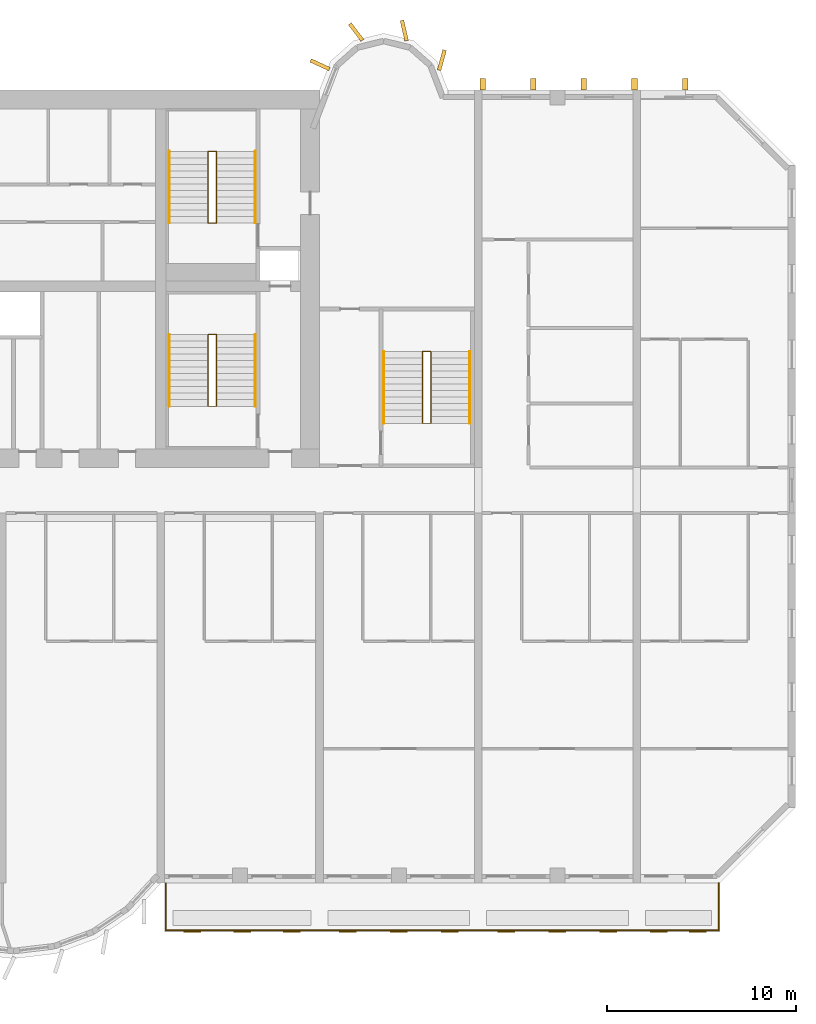
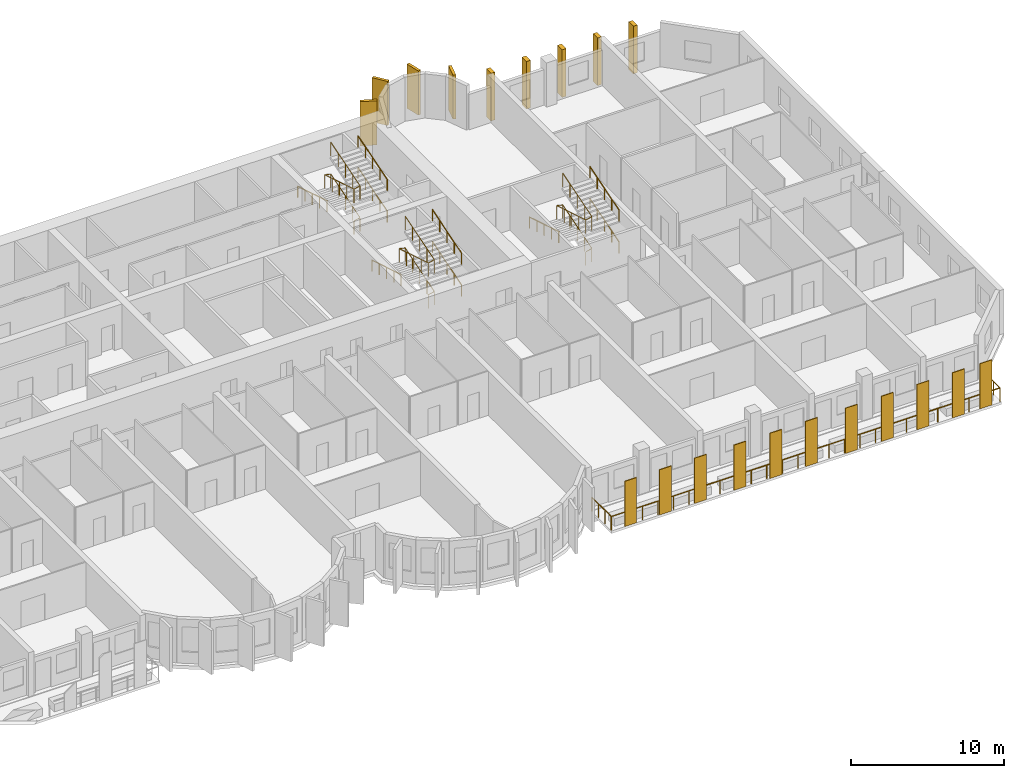
# One storey, part 14 of 15: 20 coverings, 13 railings.
"""IFC4 building model written with IfcOpenShell, lengths in metres."""

from ifc_helpers import new_model, si_unit, direction, frame, origin, origin_2d, place, context, subcontext, project, spatial, rectangle, circle, extrude, source, transform, mapped, material, layer, layer_set, material_profile, profile_set, type_object, element, save


model = new_model("IFC4")

# Units and contexts
model_context = context("Model", 3, precision=1e-05, world=origin(), true_north=direction((0.0, 1.0)))
body_context = subcontext(model_context, "Body", "Model", "MODEL_VIEW")
ifc_project = project(units=[si_unit("LENGTHUNIT", "METRE"), si_unit("AREAUNIT", "SQUARE_METRE"), si_unit("VOLUMEUNIT", "CUBIC_METRE"), si_unit("PLANEANGLEUNIT", "RADIAN"), si_unit("MASSUNIT", "GRAM", prefix="KILO")], contexts=[model_context])

# Site, building, storey
site_placement = place(None, origin())
site = spatial("IfcSite", under=ifc_project, at=site_placement, CompositionType="ELEMENT")
building_placement = place(site_placement, origin())
building = spatial("IfcBuilding", under=site, at=building_placement, Name="Vanashikhar Sky Hotel", CompositionType="ELEMENT")
storey_placement = place(building_placement, frame((0.0, 0.0, 65.800048828125)))
storey = spatial("IfcBuildingStorey", under=building, at=storey_placement, Name="L15", CompositionType="ELEMENT", Elevation=65.800048828125)

# Railing
ifc_material_1 = material(Name="Stainless steel 316", Category="steel")
railing_type_1 = type_object("IfcRailingType", Name="Balcony guard 1100", PredefinedType="GUARDRAIL", material=ifc_material_1)
shared_shape_1 = source(origin(), body_context, "Body", "SweptSolid", [
    extrude(circle(Radius=0.02392578125, at=origin_2d()), frame((0.0, 0.0, 1.076171875), z_axis=(0.0, -1.0, 0.0), x_axis=(1.0, 0.0, 0.0)), (0.0, 0.0, 1.0), 2.5),
    extrude(circle(Radius=0.02392578125, at=origin_2d()), frame((0.0, -2.5, 1.076171875), z_axis=(1.0, 0.0, 0.0), x_axis=(0.0, 1.0, 0.0)), (0.0, 0.0, 1.0), 29.280029296875),
    extrude(circle(Radius=0.02392578125, at=origin_2d()), frame((29.280029296875, -2.5, 1.076171875), z_axis=(0.0, 1.0, 0.0), x_axis=(-1.0, 0.0, 0.0)), (0.0, 0.0, 1.0), 2.5),
    extrude(circle(Radius=0.02099609375, at=origin_2d()), origin(), (0.0, 0.0, 1.0), 1.052001953125),
    extrude(circle(Radius=0.02099609375, at=origin_2d()), frame((0.0, -0.833251953125, 0.0)), (0.0, 0.0, 1.0), 1.052001953125),
    extrude(circle(Radius=0.02099609375, at=origin_2d()), frame((0.0, -1.666748046875, 0.0)), (0.0, 0.0, 1.0), 1.052001953125),
    extrude(circle(Radius=0.02099609375, at=origin_2d()), frame((0.0, -2.5, 0.0)), (0.0, 0.0, 1.0), 1.052001953125),
    extrude(circle(Radius=0.02099609375, at=origin_2d()), frame((1.171142578125, -2.5, 0.0)), (0.0, 0.0, 1.0), 1.052001953125),
    extrude(circle(Radius=0.02099609375, at=origin_2d()), frame((2.34228515625, -2.5, 0.0)), (0.0, 0.0, 1.0), 1.052001953125),
    extrude(circle(Radius=0.02099609375, at=origin_2d()), frame((3.513671875, -2.5, 0.0)), (0.0, 0.0, 1.0), 1.052001953125),
    extrude(circle(Radius=0.02099609375, at=origin_2d()), frame((4.684814453125, -2.5, 0.0)), (0.0, 0.0, 1.0), 1.052001953125),
    extrude(circle(Radius=0.02099609375, at=origin_2d()), frame((5.85595703125, -2.5, 0.0)), (0.0, 0.0, 1.0), 1.052001953125),
    extrude(circle(Radius=0.02099609375, at=origin_2d()), frame((7.027099609375, -2.5, 0.0)), (0.0, 0.0, 1.0), 1.052001953125),
    extrude(circle(Radius=0.02099609375, at=origin_2d()), frame((8.198486328125, -2.5, 0.0)), (0.0, 0.0, 1.0), 1.052001953125),
    extrude(circle(Radius=0.02099609375, at=origin_2d()), frame((9.36962890625, -2.5, 0.0)), (0.0, 0.0, 1.0), 1.052001953125),
    extrude(circle(Radius=0.02099609375, at=origin_2d()), frame((10.540771484375, -2.5, 0.0)), (0.0, 0.0, 1.0), 1.052001953125),
    extrude(circle(Radius=0.02099609375, at=origin_2d()), frame((11.7119140625, -2.5, 0.0)), (0.0, 0.0, 1.0), 1.052001953125),
    extrude(circle(Radius=0.02099609375, at=origin_2d()), frame((12.88330078125, -2.5, 0.0)), (0.0, 0.0, 1.0), 1.052001953125),
    extrude(circle(Radius=0.02099609375, at=origin_2d()), frame((14.054443359375, -2.5, 0.0)), (0.0, 0.0, 1.0), 1.052001953125),
    extrude(circle(Radius=0.02099609375, at=origin_2d()), frame((15.2255859375, -2.5, 0.0)), (0.0, 0.0, 1.0), 1.052001953125),
    extrude(circle(Radius=0.02099609375, at=origin_2d()), frame((16.396728515625, -2.5, 0.0)), (0.0, 0.0, 1.0), 1.052001953125),
    extrude(circle(Radius=0.02099609375, at=origin_2d()), frame((17.568115234375, -2.5, 0.0)), (0.0, 0.0, 1.0), 1.052001953125),
    extrude(circle(Radius=0.02099609375, at=origin_2d()), frame((18.7392578125, -2.5, 0.0)), (0.0, 0.0, 1.0), 1.052001953125),
    extrude(circle(Radius=0.02099609375, at=origin_2d()), frame((19.910400390625, -2.5, 0.0)), (0.0, 0.0, 1.0), 1.052001953125),
    extrude(circle(Radius=0.02099609375, at=origin_2d()), frame((21.08154296875, -2.5, 0.0)), (0.0, 0.0, 1.0), 1.052001953125),
    extrude(circle(Radius=0.02099609375, at=origin_2d()), frame((22.2529296875, -2.5, 0.0)), (0.0, 0.0, 1.0), 1.052001953125),
    extrude(circle(Radius=0.02099609375, at=origin_2d()), frame((23.424072265625, -2.5, 0.0)), (0.0, 0.0, 1.0), 1.052001953125),
    extrude(circle(Radius=0.02099609375, at=origin_2d()), frame((24.59521484375, -2.5, 0.0)), (0.0, 0.0, 1.0), 1.052001953125),
    extrude(circle(Radius=0.02099609375, at=origin_2d()), frame((25.766357421875, -2.5, 0.0)), (0.0, 0.0, 1.0), 1.052001953125),
    extrude(circle(Radius=0.02099609375, at=origin_2d()), frame((26.937744140625, -2.5, 0.0)), (0.0, 0.0, 1.0), 1.052001953125),
    extrude(circle(Radius=0.02099609375, at=origin_2d()), frame((28.10888671875, -2.5, 0.0)), (0.0, 0.0, 1.0), 1.052001953125),
    extrude(circle(Radius=0.02099609375, at=origin_2d()), frame((29.280029296875, -2.5, 0.0)), (0.0, 0.0, 1.0), 1.052001953125),
    extrude(circle(Radius=0.02099609375, at=origin_2d()), frame((29.280029296875, -1.666748046875, 0.0)), (0.0, 0.0, 1.0), 1.052001953125),
    extrude(circle(Radius=0.02099609375, at=origin_2d()), frame((29.280029296875, -0.833251953125, 0.0)), (0.0, 0.0, 1.0), 1.052001953125),
    extrude(circle(Radius=0.02099609375, at=origin_2d()), frame((29.280029296875, 0.0, 0.0)), (0.0, 0.0, 1.0), 1.052001953125),
])
railing_1_placement = place(storey_placement, frame((67.4599609375, 0.0, -0.050048828125)))
element("IfcRailing", 1, at=railing_1_placement, inside=storey, type_object=railing_type_1, Name="Balcony guard", PredefinedType="GUARDRAIL", context=body_context, shape_type="MappedRepresentation", body=[
    mapped(shared_shape_1, transform((0.0, 0.0, 0.0), scale=1.0)),
])

# Coverings
ifc_material_2 = material(Name="Terracotta", Category="masonry")
ifc_layer = layer(ifc_material_2, 0.06005859375)
ifc_layer_set = layer_set([ifc_layer], Name="Terracotta baguette screen")
covering_type_1 = type_object("IfcCoveringType", Name="Terracotta baguette screen", PredefinedType="CLADDING", material=ifc_layer_set)
shared_shape_2 = source(origin(), body_context, "Body", "SweptSolid", [
    extrude(rectangle(XDim=0.89990234375, YDim=0.06005859375, at=origin_2d()), origin(), (0.0, 0.0, 1.0), 3.60009765625),
])
for number, where, z_axis, x_axis, name in (
    (2, (68.86669921875, -2.570068359375, -0.050048828125), (0.0, 0.0, 1.0), (1.0, 0.0, 0.0), "Terracotta screen"),
    (3, (71.5, -2.570068359375, -0.050048828125), (0.0, 0.0, 1.0), (1.0, 0.0, 0.0), "Terracotta screen"),
    (4, (74.13330078125, -2.570068359375, -0.050048828125), (0.0, 0.0, 1.0), (1.0, 0.0, 0.0), "Terracotta screen"),
    (5, (77.10009765625, -2.570068359375, -0.050048828125), (0.0, 0.0, 1.0), (1.0, 0.0, 0.0), "Terracotta screen"),
    (6, (79.800048828125, -2.570068359375, -0.050048828125), (0.0, 0.0, 1.0), (1.0, 0.0, 0.0), "Terracotta screen"),
    (7, (82.5, -2.570068359375, -0.050048828125), (0.0, 0.0, 1.0), (1.0, 0.0, 0.0), "Terracotta screen"),
    (8, (85.5, -2.570068359375, -0.050048828125), (0.0, 0.0, 1.0), (1.0, 0.0, 0.0), "Terracotta screen"),
    (9, (88.199951171875, -2.570068359375, -0.050048828125), (0.0, 0.0, 1.0), (1.0, 0.0, 0.0), "Terracotta screen"),
    (10, (90.89990234375, -2.570068359375, -0.050048828125), (0.0, 0.0, 1.0), (1.0, 0.0, 0.0), "Terracotta screen"),
    (11, (93.574951171875, -2.570068359375, -0.050048828125), (0.0, 0.0, 1.0), (1.0, 0.0, 0.0), "Terracotta screen"),
    (12, (95.625, -2.570068359375, -0.050048828125), (0.0, 0.0, 1.0), (1.0, 0.0, 0.0), "Terracotta screen"),
):
    element("IfcCovering", number, at=place(storey_placement, frame(where, z_axis=z_axis, x_axis=x_axis)), inside=storey, type_object=covering_type_1, Name=name, PredefinedType="CLADDING", context=body_context, shape_type="MappedRepresentation", body=[
        mapped(shared_shape_2, transform((0.0, 0.0, 0.0), scale=1.0)),
    ])
ifc_material_3 = material(Name="Concrete M60 dark", Category="concrete")
ifc_material_profile_1 = material_profile(ifc_material_3, rectangle(XDim=1.10009765625, YDim=0.199951171875, at=origin_2d()))
ifc_profile_set_1 = profile_set([ifc_material_profile_1], Name="Rear lobe fin 1100 x 200")
covering_type_2 = type_object("IfcCoveringType", Name="Rear lobe fin 1100 x 200", PredefinedType="CLADDING", material=ifc_profile_set_1)
shared_shape_3 = source(origin(), body_context, "Body", "SweptSolid", [
    extrude(rectangle(XDim=1.10009765625, YDim=0.199951171875, at=origin_2d()), origin(), (0.0, 0.0, 1.0), 3.52001953125),
])
for number, where, z_axis, x_axis, name in (
    (13, (75.63037109375, 43.33447265625, 0.0), (0.0, 0.0, 1.0), (-0.908004291068, 0.418960866193, 0.0), "Fin R2-1"),
    (14, (77.5380859375, 45.06640625, 0.0), (0.0, 0.0, 1.0), (-0.602065892195, 0.798446404874, 0.0), "Fin R2-2"),
    (15, (80.08984375, 45.1455078125, 0.0), (0.0, 0.0, 1.0), (-0.224644935864, 0.974440687159, 0.0), "Fin R2-3"),
    (16, (82.0791015625, 43.580078125, 0.0), (0.0, 0.0, 1.0), (0.262711264409, 0.964874495234, 0.0), "Fin R2-4"),
):
    element("IfcCovering", number, at=place(storey_placement, frame(where, z_axis=z_axis, x_axis=x_axis)), inside=storey, type_object=covering_type_2, Name=name, PredefinedType="CLADDING", context=body_context, shape_type="MappedRepresentation", body=[
        mapped(shared_shape_3, transform((0.0, 0.0, 0.0), scale=1.0)),
    ])
ifc_material_profile_2 = material_profile(ifc_material_3, rectangle(XDim=0.60009765625, YDim=0.300048828125, at=origin_2d()))
ifc_profile_set_2 = profile_set([ifc_material_profile_2], Name="Rear rib 600 x 300")
covering_type_3 = type_object("IfcCoveringType", Name="Rear rib 600 x 300", PredefinedType="CLADDING", material=ifc_profile_set_2)
shared_shape_4 = source(origin(), body_context, "Body", "SweptSolid", [
    extrude(rectangle(XDim=0.60009765625, YDim=0.300048828125, at=origin_2d()), origin(), (0.0, 0.0, 1.0), 3.800048828125),
])
for number, where, z_axis, x_axis, name in (
    (17, (84.239990234375, 42.300048828125, -0.280029296875), (0.0, 0.0, 1.0), (0.0, 1.0, 0.0), "Rear rib"),
    (18, (86.919921875, 42.300048828125, -0.280029296875), (0.0, 0.0, 1.0), (0.0, 1.0, 0.0), "Rear rib"),
    (19, (89.60009765625, 42.300048828125, -0.280029296875), (0.0, 0.0, 1.0), (0.0, 1.0, 0.0), "Rear rib"),
    (20, (92.280029296875, 42.300048828125, -0.280029296875), (0.0, 0.0, 1.0), (0.0, 1.0, 0.0), "Rear rib"),
    (21, (94.9599609375, 42.300048828125, -0.280029296875), (0.0, 0.0, 1.0), (0.0, 1.0, 0.0), "Rear rib"),
):
    element("IfcCovering", number, at=place(storey_placement, frame(where, z_axis=z_axis, x_axis=x_axis)), inside=storey, type_object=covering_type_3, Name=name, PredefinedType="CLADDING", context=body_context, shape_type="MappedRepresentation", body=[
        mapped(shared_shape_4, transform((0.0, 0.0, 0.0), scale=1.0)),
    ])

# Railings
ifc_material_4 = material(Name="Steel S355", Category="steel")
railing_type_2 = type_object("IfcRailingType", Name="Stair handrail 900", PredefinedType="HANDRAIL", material=ifc_material_4)
shared_shape_5 = source(origin(), body_context, "Body", "SweptSolid", [
    extrude(circle(Radius=0.02392578125, at=origin_2d()), frame((0.0, 0.0, 0.8759765625), z_axis=(0.0, 0.95635109408, 0.292220096591), x_axis=(-1.0, 0.0, 0.0)), (0.0, 0.0, 1.0), 3.973388671875),
    extrude(circle(Radius=0.02099609375, at=origin_2d()), origin(), (0.0, 0.0, 1.0), 0.851806640625),
    extrude(circle(Radius=0.02099609375, at=origin_2d()), frame((0.0, 0.949951171875, 0.290283203125)), (0.0, 0.0, 1.0), 0.851806640625),
    extrude(circle(Radius=0.02099609375, at=origin_2d()), frame((0.0, 1.89990234375, 0.58056640625)), (0.0, 0.0, 1.0), 0.851806640625),
    extrude(circle(Radius=0.02099609375, at=origin_2d()), frame((0.0, 2.85009765625, 0.870849609375)), (0.0, 0.0, 1.0), 0.851806640625),
    extrude(circle(Radius=0.02099609375, at=origin_2d()), frame((0.0, 3.800048828125, 1.1611328125)), (0.0, 0.0, 1.0), 0.851806640625),
])
for number, where, name in (
    (22, (72.199951171875, 25.25, 0.10546875), "Exit stair 2 handrail"),
    (23, (72.199951171875, 25.25, 2.638916015625), "Exit stair 2 handrail"),
    (24, (72.199951171875, 34.949951171875, 0.10546875), "Exit stair 6 handrail"),
    (25, (72.199951171875, 34.949951171875, 2.638916015625), "Exit stair 6 handrail"),
):
    element("IfcRailing", number, at=place(storey_placement, frame(where)), inside=storey, type_object=railing_type_2, Name=name, PredefinedType="HANDRAIL", context=body_context, shape_type="MappedRepresentation", body=[
        mapped(shared_shape_5, transform((0.0, 0.0, 0.0), scale=1.0)),
    ])
shared_shape_6 = source(origin(), body_context, "Body", "SweptSolid", [
    extrude(circle(Radius=0.02392578125, at=origin_2d()), frame((0.0, 0.0, 0.8759765625), z_axis=(0.0, -0.95635109408, 0.292220096591), x_axis=(1.0, 0.0, 0.0)), (0.0, 0.0, 1.0), 3.973388671875),
    extrude(circle(Radius=0.02099609375, at=origin_2d()), origin(), (0.0, 0.0, 1.0), 0.851806640625),
    extrude(circle(Radius=0.02099609375, at=origin_2d()), frame((0.0, -0.949951171875, 0.290283203125)), (0.0, 0.0, 1.0), 0.851806640625),
    extrude(circle(Radius=0.02099609375, at=origin_2d()), frame((0.0, -1.89990234375, 0.58056640625)), (0.0, 0.0, 1.0), 0.851806640625),
    extrude(circle(Radius=0.02099609375, at=origin_2d()), frame((0.0, -2.85009765625, 0.870849609375)), (0.0, 0.0, 1.0), 0.851806640625),
    extrude(circle(Radius=0.02099609375, at=origin_2d()), frame((0.0, -3.800048828125, 1.1611328125)), (0.0, 0.0, 1.0), 0.851806640625),
])
for number, where, name in (
    (26, (67.64990234375, 29.050048828125, 1.3720703125), "Exit stair 2 handrail"),
    (27, (67.64990234375, 38.75, 1.3720703125), "Exit stair 6 handrail"),
):
    element("IfcRailing", number, at=place(storey_placement, frame(where)), inside=storey, type_object=railing_type_2, Name=name, PredefinedType="HANDRAIL", context=body_context, shape_type="MappedRepresentation", body=[
        mapped(shared_shape_6, transform((0.0, 0.0, 0.0), scale=1.0)),
    ])
railing_type_3 = type_object("IfcRailingType", Name="Stair guard 1100", PredefinedType="GUARDRAIL", material=ifc_material_4)
shared_shape_7 = source(origin(), body_context, "Body", "SweptSolid", [
    extrude(circle(Radius=0.02392578125, at=origin_2d()), frame((0.0, 0.0, 1.076171875), z_axis=(0.973610808694, 0.0, 0.228214796178), x_axis=(0.0, 1.0, 0.0)), (0.0, 0.0, 1.0), 0.462158203125),
    extrude(circle(Radius=0.02392578125, at=origin_2d()), frame((0.449951171875, 0.0, 1.181640625), z_axis=(0.0, 0.95635109408, 0.292220096591), x_axis=(-1.0, 0.0, 0.0)), (0.0, 0.0, 1.0), 3.973388671875),
    extrude(circle(Radius=0.02392578125, at=origin_2d()), frame((0.449951171875, 3.800048828125, 2.3427734375), z_axis=(-0.973610808694, 0.0, 0.228214796178), x_axis=(0.0, -1.0, 0.0)), (0.0, 0.0, 1.0), 0.462158203125),
    extrude(circle(Radius=0.02392578125, at=origin_2d()), frame((0.0, 3.800048828125, 2.4482421875), z_axis=(0.0, -0.95635109408, 0.292220096591), x_axis=(1.0, 0.0, 0.0)), (0.0, 0.0, 1.0), 3.973388671875),
    extrude(circle(Radius=0.02392578125, at=origin_2d()), frame((0.0, 0.0, 3.609375), z_axis=(0.973493315427, 0.0, 0.228715466945), x_axis=(0.0, 1.0, 0.0)), (0.0, 0.0, 1.0), 0.462158203125),
    extrude(circle(Radius=0.02392578125, at=origin_2d()), frame((0.449951171875, 0.0, 3.71484375), z_axis=(0.0, 0.95635109408, 0.292220096591), x_axis=(-1.0, 0.0, 0.0)), (0.0, 0.0, 1.0), 3.973388671875),
    extrude(circle(Radius=0.02099609375, at=origin_2d()), origin(), (0.0, 0.0, 1.0), 1.052001953125),
    extrude(circle(Radius=0.02099609375, at=origin_2d()), frame((0.449951171875, 0.0, 0.10546875)), (0.0, 0.0, 1.0), 1.052001953125),
    extrude(circle(Radius=0.02099609375, at=origin_2d()), frame((0.449951171875, 0.949951171875, 0.395751953125)), (0.0, 0.0, 1.0), 1.052001953125),
    extrude(circle(Radius=0.02099609375, at=origin_2d()), frame((0.449951171875, 1.89990234375, 0.68603515625)), (0.0, 0.0, 1.0), 1.052001953125),
    extrude(circle(Radius=0.02099609375, at=origin_2d()), frame((0.449951171875, 2.85009765625, 0.976318359375)), (0.0, 0.0, 1.0), 1.052001953125),
    extrude(circle(Radius=0.02099609375, at=origin_2d()), frame((0.449951171875, 3.800048828125, 1.2666015625)), (0.0, 0.0, 1.0), 1.052001953125),
    extrude(circle(Radius=0.02099609375, at=origin_2d()), frame((0.0, 3.800048828125, 1.3720703125)), (0.0, 0.0, 1.0), 1.052001953125),
    extrude(circle(Radius=0.02099609375, at=origin_2d()), frame((0.0, 2.85009765625, 1.662353515625)), (0.0, 0.0, 1.0), 1.052001953125),
    extrude(circle(Radius=0.02099609375, at=origin_2d()), frame((0.0, 1.89990234375, 1.95263671875)), (0.0, 0.0, 1.0), 1.052001953125),
    extrude(circle(Radius=0.02099609375, at=origin_2d()), frame((0.0, 0.949951171875, 2.242919921875)), (0.0, 0.0, 1.0), 1.052001953125),
    extrude(circle(Radius=0.02099609375, at=origin_2d()), frame((0.0, 0.0, 2.533203125)), (0.0, 0.0, 1.0), 1.052001953125),
    extrude(circle(Radius=0.02099609375, at=origin_2d()), frame((0.449951171875, 0.0, 2.638916015625)), (0.0, 0.0, 1.0), 1.052001953125),
    extrude(circle(Radius=0.02099609375, at=origin_2d()), frame((0.449951171875, 0.949951171875, 2.92919921875)), (0.0, 0.0, 1.0), 1.052001953125),
    extrude(circle(Radius=0.02099609375, at=origin_2d()), frame((0.449951171875, 1.89990234375, 3.219482421875)), (0.0, 0.0, 1.0), 1.052001953125),
    extrude(circle(Radius=0.02099609375, at=origin_2d()), frame((0.449951171875, 2.85009765625, 3.509765625)), (0.0, 0.0, 1.0), 1.052001953125),
    extrude(circle(Radius=0.02099609375, at=origin_2d()), frame((0.449951171875, 3.800048828125, 3.800048828125)), (0.0, 0.0, 1.0), 1.052001953125),
])
for number, where, name in (
    (28, (69.699951171875, 25.25, 0.0), "Exit stair 2 guard"),
    (29, (69.699951171875, 34.949951171875, 0.0), "Exit stair 6 guard"),
):
    element("IfcRailing", number, at=place(storey_placement, frame(where)), inside=storey, type_object=railing_type_3, Name=name, PredefinedType="GUARDRAIL", context=body_context, shape_type="MappedRepresentation", body=[
        mapped(shared_shape_7, transform((0.0, 0.0, 0.0), scale=1.0)),
    ])
shared_shape_8 = source(origin(), body_context, "Body", "SweptSolid", [
    extrude(circle(Radius=0.02392578125, at=origin_2d()), frame((0.0, 0.0, 1.076171875), z_axis=(0.973610808694, 0.0, 0.228214796178), x_axis=(0.0, 1.0, 0.0)), (0.0, 0.0, 1.0), 0.462158203125),
    extrude(circle(Radius=0.02392578125, at=origin_2d()), frame((0.449951171875, 0.0, 1.181640625), z_axis=(0.0, 0.956345846891, 0.292237268557), x_axis=(-1.0, 0.0, 0.0)), (0.0, 0.0, 1.0), 3.97314453125),
    extrude(circle(Radius=0.02392578125, at=origin_2d()), frame((0.449951171875, 3.7998046875, 2.3427734375), z_axis=(-0.973610808694, 0.0, 0.228214796178), x_axis=(0.0, -1.0, 0.0)), (0.0, 0.0, 1.0), 0.462158203125),
    extrude(circle(Radius=0.02392578125, at=origin_2d()), frame((0.0, 3.7998046875, 2.4482421875), z_axis=(0.0, -0.956345846891, 0.292237268557), x_axis=(1.0, 0.0, 0.0)), (0.0, 0.0, 1.0), 3.97314453125),
    extrude(circle(Radius=0.02392578125, at=origin_2d()), frame((0.0, 0.0, 3.609375), z_axis=(0.973493315427, 0.0, 0.228715466945), x_axis=(0.0, 1.0, 0.0)), (0.0, 0.0, 1.0), 0.462158203125),
    extrude(circle(Radius=0.02392578125, at=origin_2d()), frame((0.449951171875, 0.0, 3.71484375), z_axis=(0.0, 0.956345846891, 0.292237268557), x_axis=(-1.0, 0.0, 0.0)), (0.0, 0.0, 1.0), 3.97314453125),
    extrude(circle(Radius=0.02099609375, at=origin_2d()), origin(), (0.0, 0.0, 1.0), 1.052001953125),
    extrude(circle(Radius=0.02099609375, at=origin_2d()), frame((0.449951171875, 0.0, 0.10546875)), (0.0, 0.0, 1.0), 1.052001953125),
    extrude(circle(Radius=0.02099609375, at=origin_2d()), frame((0.449951171875, 0.949951171875, 0.395751953125)), (0.0, 0.0, 1.0), 1.052001953125),
    extrude(circle(Radius=0.02099609375, at=origin_2d()), frame((0.449951171875, 1.89990234375, 0.68603515625)), (0.0, 0.0, 1.0), 1.052001953125),
    extrude(circle(Radius=0.02099609375, at=origin_2d()), frame((0.449951171875, 2.849853515625, 0.976318359375)), (0.0, 0.0, 1.0), 1.052001953125),
    extrude(circle(Radius=0.02099609375, at=origin_2d()), frame((0.449951171875, 3.7998046875, 1.2666015625)), (0.0, 0.0, 1.0), 1.052001953125),
    extrude(circle(Radius=0.02099609375, at=origin_2d()), frame((0.0, 3.7998046875, 1.3720703125)), (0.0, 0.0, 1.0), 1.052001953125),
    extrude(circle(Radius=0.02099609375, at=origin_2d()), frame((0.0, 2.849853515625, 1.662353515625)), (0.0, 0.0, 1.0), 1.052001953125),
    extrude(circle(Radius=0.02099609375, at=origin_2d()), frame((0.0, 1.89990234375, 1.95263671875)), (0.0, 0.0, 1.0), 1.052001953125),
    extrude(circle(Radius=0.02099609375, at=origin_2d()), frame((0.0, 0.949951171875, 2.242919921875)), (0.0, 0.0, 1.0), 1.052001953125),
    extrude(circle(Radius=0.02099609375, at=origin_2d()), frame((0.0, 0.0, 2.533203125)), (0.0, 0.0, 1.0), 1.052001953125),
    extrude(circle(Radius=0.02099609375, at=origin_2d()), frame((0.449951171875, 0.0, 2.638916015625)), (0.0, 0.0, 1.0), 1.052001953125),
    extrude(circle(Radius=0.02099609375, at=origin_2d()), frame((0.449951171875, 0.949951171875, 2.92919921875)), (0.0, 0.0, 1.0), 1.052001953125),
    extrude(circle(Radius=0.02099609375, at=origin_2d()), frame((0.449951171875, 1.89990234375, 3.219482421875)), (0.0, 0.0, 1.0), 1.052001953125),
    extrude(circle(Radius=0.02099609375, at=origin_2d()), frame((0.449951171875, 2.849853515625, 3.509765625)), (0.0, 0.0, 1.0), 1.052001953125),
    extrude(circle(Radius=0.02099609375, at=origin_2d()), frame((0.449951171875, 3.7998046875, 3.800048828125)), (0.0, 0.0, 1.0), 1.052001953125),
])
railing_2_placement = place(storey_placement, frame((81.050048828125, 24.35009765625, 0.0)))
element("IfcRailing", 30, at=railing_2_placement, inside=storey, type_object=railing_type_3, Name="Exit stair 4 guard", PredefinedType="GUARDRAIL", context=body_context, shape_type="MappedRepresentation", body=[
    mapped(shared_shape_8, transform((0.0, 0.0, 0.0), scale=1.0)),
])
shared_shape_9 = source(origin(), body_context, "Body", "SweptSolid", [
    extrude(circle(Radius=0.02392578125, at=origin_2d()), frame((0.0, 0.0, 0.8759765625), z_axis=(0.0, 0.956345846891, 0.292237268557), x_axis=(-1.0, 0.0, 0.0)), (0.0, 0.0, 1.0), 3.97314453125),
    extrude(circle(Radius=0.02099609375, at=origin_2d()), origin(), (0.0, 0.0, 1.0), 0.851806640625),
    extrude(circle(Radius=0.02099609375, at=origin_2d()), frame((0.0, 0.949951171875, 0.290283203125)), (0.0, 0.0, 1.0), 0.851806640625),
    extrude(circle(Radius=0.02099609375, at=origin_2d()), frame((0.0, 1.89990234375, 0.58056640625)), (0.0, 0.0, 1.0), 0.851806640625),
    extrude(circle(Radius=0.02099609375, at=origin_2d()), frame((0.0, 2.849853515625, 0.870849609375)), (0.0, 0.0, 1.0), 0.851806640625),
    extrude(circle(Radius=0.02099609375, at=origin_2d()), frame((0.0, 3.7998046875, 1.1611328125)), (0.0, 0.0, 1.0), 0.851806640625),
])
for number, where, name in (
    (31, (83.550048828125, 24.35009765625, 0.10546875), "Exit stair 4 handrail"),
    (32, (83.550048828125, 24.35009765625, 2.638916015625), "Exit stair 4 handrail"),
):
    element("IfcRailing", number, at=place(storey_placement, frame(where)), inside=storey, type_object=railing_type_2, Name=name, PredefinedType="HANDRAIL", context=body_context, shape_type="MappedRepresentation", body=[
        mapped(shared_shape_9, transform((0.0, 0.0, 0.0), scale=1.0)),
    ])
shared_shape_10 = source(origin(), body_context, "Body", "SweptSolid", [
    extrude(circle(Radius=0.02392578125, at=origin_2d()), frame((0.0, 0.0, 0.8759765625), z_axis=(0.0, -0.956345846891, 0.292237268557), x_axis=(1.0, 0.0, 0.0)), (0.0, 0.0, 1.0), 3.97314453125),
    extrude(circle(Radius=0.02099609375, at=origin_2d()), origin(), (0.0, 0.0, 1.0), 0.851806640625),
    extrude(circle(Radius=0.02099609375, at=origin_2d()), frame((0.0, -0.949951171875, 0.290283203125)), (0.0, 0.0, 1.0), 0.851806640625),
    extrude(circle(Radius=0.02099609375, at=origin_2d()), frame((0.0, -1.89990234375, 0.58056640625)), (0.0, 0.0, 1.0), 0.851806640625),
    extrude(circle(Radius=0.02099609375, at=origin_2d()), frame((0.0, -2.849853515625, 0.870849609375)), (0.0, 0.0, 1.0), 0.851806640625),
    extrude(circle(Radius=0.02099609375, at=origin_2d()), frame((0.0, -3.7998046875, 1.1611328125)), (0.0, 0.0, 1.0), 0.851806640625),
])
railing_3_placement = place(storey_placement, frame((79.0, 28.14990234375, 1.3720703125)))
element("IfcRailing", 33, at=railing_3_placement, inside=storey, type_object=railing_type_2, Name="Exit stair 4 handrail", PredefinedType="HANDRAIL", context=body_context, shape_type="MappedRepresentation", body=[
    mapped(shared_shape_10, transform((0.0, 0.0, 0.0), scale=1.0)),
])

save(model, "model.ifc")
